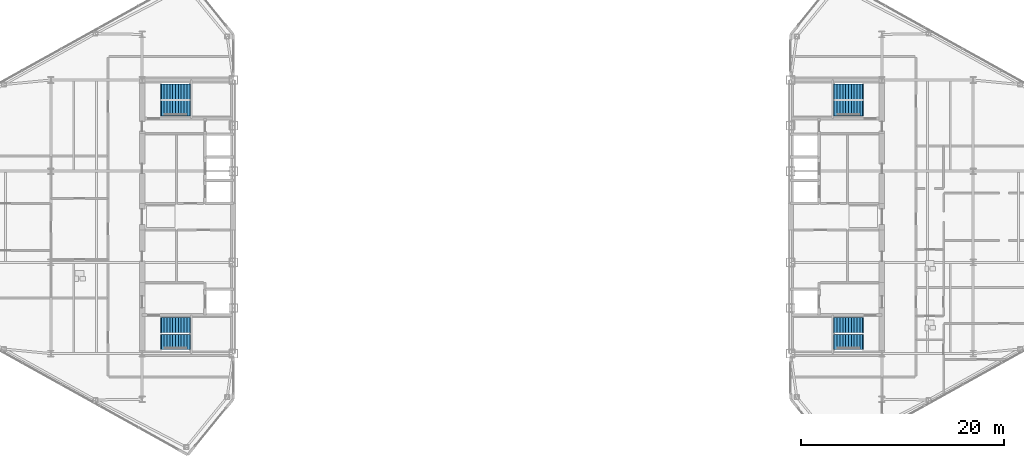
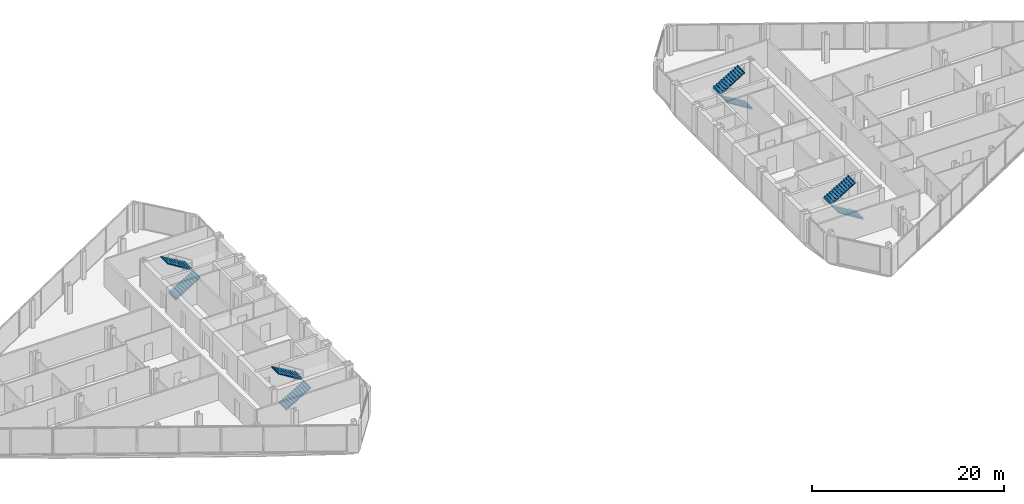
# One storey, part 24 of 26: 8 stair flights, 4 elements without a shape of their own.
"""IFC4 building model written with IfcOpenShell, lengths in metres."""

from ifc_helpers import new_model, si_unit, direction, frame, origin, place, context, subcontext, project, spatial, polyline, outline, extrude, material, type_object, element, aggregate, save


model = new_model("IFC4")

# Units and contexts
model_context = context("Model", 3, precision=1e-05, world=origin(), true_north=direction((0.0, 1.0)))
body_context = subcontext(model_context, "Body", "Model", "MODEL_VIEW")
ifc_project = project(units=[si_unit("LENGTHUNIT", "METRE"), si_unit("AREAUNIT", "SQUARE_METRE"), si_unit("VOLUMEUNIT", "CUBIC_METRE"), si_unit("PLANEANGLEUNIT", "RADIAN"), si_unit("MASSUNIT", "GRAM", prefix="KILO")], contexts=[model_context])

# Site, building, storey
site_placement = place(None, origin())
site = spatial("IfcSite", under=ifc_project, at=site_placement, CompositionType="ELEMENT")
building_placement = place(site_placement, origin())
building = spatial("IfcBuilding", under=site, at=building_placement, Name="Seokmaru Belvedere", CompositionType="ELEMENT")
storey_placement = place(building_placement, frame((0.0, 0.0, 174.300048828125)))
storey = spatial("IfcBuildingStorey", under=building, at=storey_placement, Name="L46", CompositionType="ELEMENT", Elevation=174.300048828125)

# Stair, stair flights
ifc_material = material(Name="Concrete C40 (40 MPa)", Category="concrete")
stair_type = type_object("IfcStairType", Name="Typical Tower Core Dog-Leg Stair 3600", PredefinedType="TWO_STRAIGHT_RUN_STAIR", material=ifc_material)
stair_1_placement = place(storey_placement, origin())
stair_1 = element("IfcStair", 1, at=stair_1_placement, inside=storey, type_object=stair_type, Name="L46 Special Escape Stair ST-W1", PredefinedType="TWO_STRAIGHT_RUN_STAIR")
stair_flight_type = type_object("IfcStairFlightType", Name="Reinforced Concrete Stair Flight 1500", PredefinedType="STRAIGHT", material=ifc_material)
stair_flight_1_placement = place(storey_placement, frame((-34.60009765625, -12.35009765625, 0.0), z_axis=(0.0, 0.0, 1.0), x_axis=(1.0, 0.0, 0.0)))
stair_flight_1 = element("IfcStairFlight", 2, at=stair_flight_1_placement, type_object=stair_flight_type, Name="ST-W1 flight 1", NumberOfRisers=11, NumberOfTreads=10, PredefinedType="STRAIGHT", RiserHeight=0.163636364, TreadLength=0.28, context=body_context, shape_type="SweptSolid", body=[
    extrude(outline(polyline([(-0.080078125, 0.0), (0.0, 0.16357421875), (0.280029296875, 0.16357421875), (0.280029296875, 0.327392578125), (0.56005859375, 0.327392578125), (0.56005859375, 0.490966796875), (0.840087890625, 0.490966796875), (0.840087890625, 0.654541015625), (1.1201171875, 0.654541015625), (1.1201171875, 0.818115234375), (1.39990234375, 0.818115234375), (1.39990234375, 0.98193359375), (1.679931640625, 0.98193359375), (1.679931640625, 1.1455078125), (1.9599609375, 1.1455078125), (1.9599609375, 1.30908203125), (2.239990234375, 1.30908203125), (2.239990234375, 1.47265625), (2.52001953125, 1.47265625), (2.52001953125, 1.636474609375), (2.800048828125, 1.636474609375), (2.800048828125, 1.800048828125), (2.8798828125, 1.800048828125), (2.8798828125, 1.610107421875), (2.800048828125, 1.610107421875), (0.0, -0.159912109375), (-0.080078125, -0.159912109375), (-0.080078125, 0.0)])), frame((0.0, 0.75, 0.0), z_axis=(0.0, -1.0, 0.0), x_axis=(1.0, 0.0, 0.0)), (0.0, 0.0, 1.0), 1.5),
])
stair_flight_2_placement = place(storey_placement, frame((-31.800048828125, -10.7099609375, 1.800048828125), z_axis=(0.0, 0.0, 1.0), x_axis=(-1.0, 0.0, 0.0)))
stair_flight_2 = element("IfcStairFlight", 3, at=stair_flight_2_placement, type_object=stair_flight_type, Name="ST-W1 flight 2", NumberOfRisers=11, NumberOfTreads=10, PredefinedType="STRAIGHT", RiserHeight=0.163636364, TreadLength=0.28, context=body_context, shape_type="SweptSolid", body=[
    extrude(outline(polyline([(-0.080078125, 0.0), (0.0, 0.16357421875), (0.280029296875, 0.16357421875), (0.280029296875, 0.327392578125), (0.56005859375, 0.327392578125), (0.56005859375, 0.490966796875), (0.840087890625, 0.490966796875), (0.840087890625, 0.654541015625), (1.1201171875, 0.654541015625), (1.1201171875, 0.818115234375), (1.39990234375, 0.818115234375), (1.39990234375, 0.98193359375), (1.679931640625, 0.98193359375), (1.679931640625, 1.1455078125), (1.9599609375, 1.1455078125), (1.9599609375, 1.30908203125), (2.239990234375, 1.30908203125), (2.239990234375, 1.47265625), (2.52001953125, 1.47265625), (2.52001953125, 1.636474609375), (2.800048828125, 1.636474609375), (2.800048828125, 1.800048828125), (2.8798828125, 1.800048828125), (2.8798828125, 1.610107421875), (2.800048828125, 1.610107421875), (0.0, -0.159912109375), (-0.080078125, -0.159912109375), (-0.080078125, 0.0)])), frame((0.0, 0.75, 0.0), z_axis=(0.0, -1.0, 0.0), x_axis=(1.0, 0.0, 0.0)), (0.0, 0.0, 1.0), 1.5),
])
aggregate(stair_1, [stair_flight_1, stair_flight_2])

stair_2_placement = place(storey_placement, origin())
stair_2 = element("IfcStair", 4, at=stair_2_placement, inside=storey, type_object=stair_type, Name="L46 Special Escape Stair ST-W2", PredefinedType="TWO_STRAIGHT_RUN_STAIR")
stair_flight_3_placement = place(storey_placement, frame((-34.60009765625, 10.7099609375, 0.0), z_axis=(0.0, 0.0, 1.0), x_axis=(1.0, 0.0, 0.0)))
stair_flight_3 = element("IfcStairFlight", 5, at=stair_flight_3_placement, type_object=stair_flight_type, Name="ST-W2 flight 1", NumberOfRisers=11, NumberOfTreads=10, PredefinedType="STRAIGHT", RiserHeight=0.163636364, TreadLength=0.28, context=body_context, shape_type="SweptSolid", body=[
    extrude(outline(polyline([(-0.080078125, 0.0), (0.0, 0.16357421875), (0.280029296875, 0.16357421875), (0.280029296875, 0.327392578125), (0.56005859375, 0.327392578125), (0.56005859375, 0.490966796875), (0.840087890625, 0.490966796875), (0.840087890625, 0.654541015625), (1.1201171875, 0.654541015625), (1.1201171875, 0.818115234375), (1.39990234375, 0.818115234375), (1.39990234375, 0.98193359375), (1.679931640625, 0.98193359375), (1.679931640625, 1.1455078125), (1.9599609375, 1.1455078125), (1.9599609375, 1.30908203125), (2.239990234375, 1.30908203125), (2.239990234375, 1.47265625), (2.52001953125, 1.47265625), (2.52001953125, 1.636474609375), (2.800048828125, 1.636474609375), (2.800048828125, 1.800048828125), (2.8798828125, 1.800048828125), (2.8798828125, 1.610107421875), (2.800048828125, 1.610107421875), (0.0, -0.159912109375), (-0.080078125, -0.159912109375), (-0.080078125, 0.0)])), frame((0.0, 0.75, 0.0), z_axis=(0.0, -1.0, 0.0), x_axis=(1.0, 0.0, 0.0)), (0.0, 0.0, 1.0), 1.5),
])
stair_flight_4_placement = place(storey_placement, frame((-31.800048828125, 12.35009765625, 1.800048828125), z_axis=(0.0, 0.0, 1.0), x_axis=(-1.0, 0.0, 0.0)))
stair_flight_4 = element("IfcStairFlight", 6, at=stair_flight_4_placement, type_object=stair_flight_type, Name="ST-W2 flight 2", NumberOfRisers=11, NumberOfTreads=10, PredefinedType="STRAIGHT", RiserHeight=0.163636364, TreadLength=0.28, context=body_context, shape_type="SweptSolid", body=[
    extrude(outline(polyline([(-0.080078125, 0.0), (0.0, 0.16357421875), (0.280029296875, 0.16357421875), (0.280029296875, 0.327392578125), (0.56005859375, 0.327392578125), (0.56005859375, 0.490966796875), (0.840087890625, 0.490966796875), (0.840087890625, 0.654541015625), (1.1201171875, 0.654541015625), (1.1201171875, 0.818115234375), (1.39990234375, 0.818115234375), (1.39990234375, 0.98193359375), (1.679931640625, 0.98193359375), (1.679931640625, 1.1455078125), (1.9599609375, 1.1455078125), (1.9599609375, 1.30908203125), (2.239990234375, 1.30908203125), (2.239990234375, 1.47265625), (2.52001953125, 1.47265625), (2.52001953125, 1.636474609375), (2.800048828125, 1.636474609375), (2.800048828125, 1.800048828125), (2.8798828125, 1.800048828125), (2.8798828125, 1.610107421875), (2.800048828125, 1.610107421875), (0.0, -0.159912109375), (-0.080078125, -0.159912109375), (-0.080078125, 0.0)])), frame((0.0, 0.75, 0.0), z_axis=(0.0, -1.0, 0.0), x_axis=(1.0, 0.0, 0.0)), (0.0, 0.0, 1.0), 1.5),
])
aggregate(stair_2, [stair_flight_3, stair_flight_4])

stair_3_placement = place(storey_placement, origin())
stair_3 = element("IfcStair", 7, at=stair_3_placement, inside=storey, type_object=stair_type, Name="L46 Special Escape Stair ST-E1", PredefinedType="TWO_STRAIGHT_RUN_STAIR")
stair_flight_5_placement = place(storey_placement, frame((34.60009765625, -12.35009765625, 0.0), z_axis=(0.0, 0.0, 1.0), x_axis=(-1.0, 0.0, 0.0)))
stair_flight_5 = element("IfcStairFlight", 8, at=stair_flight_5_placement, type_object=stair_flight_type, Name="ST-E1 flight 1", NumberOfRisers=11, NumberOfTreads=10, PredefinedType="STRAIGHT", RiserHeight=0.163636364, TreadLength=0.28, context=body_context, shape_type="SweptSolid", body=[
    extrude(outline(polyline([(-0.080078125, 0.0), (0.0, 0.16357421875), (0.280029296875, 0.16357421875), (0.280029296875, 0.327392578125), (0.56005859375, 0.327392578125), (0.56005859375, 0.490966796875), (0.840087890625, 0.490966796875), (0.840087890625, 0.654541015625), (1.1201171875, 0.654541015625), (1.1201171875, 0.818115234375), (1.39990234375, 0.818115234375), (1.39990234375, 0.98193359375), (1.679931640625, 0.98193359375), (1.679931640625, 1.1455078125), (1.9599609375, 1.1455078125), (1.9599609375, 1.30908203125), (2.239990234375, 1.30908203125), (2.239990234375, 1.47265625), (2.52001953125, 1.47265625), (2.52001953125, 1.636474609375), (2.800048828125, 1.636474609375), (2.800048828125, 1.800048828125), (2.8798828125, 1.800048828125), (2.8798828125, 1.610107421875), (2.800048828125, 1.610107421875), (0.0, -0.159912109375), (-0.080078125, -0.159912109375), (-0.080078125, 0.0)])), frame((0.0, 0.75, 0.0), z_axis=(0.0, -1.0, 0.0), x_axis=(1.0, 0.0, 0.0)), (0.0, 0.0, 1.0), 1.5),
])
stair_flight_6_placement = place(storey_placement, frame((31.800048828125, -10.7099609375, 1.800048828125), z_axis=(0.0, 0.0, 1.0), x_axis=(1.0, 0.0, 0.0)))
stair_flight_6 = element("IfcStairFlight", 9, at=stair_flight_6_placement, type_object=stair_flight_type, Name="ST-E1 flight 2", NumberOfRisers=11, NumberOfTreads=10, PredefinedType="STRAIGHT", RiserHeight=0.163636364, TreadLength=0.28, context=body_context, shape_type="SweptSolid", body=[
    extrude(outline(polyline([(-0.080078125, 0.0), (0.0, 0.16357421875), (0.280029296875, 0.16357421875), (0.280029296875, 0.327392578125), (0.56005859375, 0.327392578125), (0.56005859375, 0.490966796875), (0.840087890625, 0.490966796875), (0.840087890625, 0.654541015625), (1.1201171875, 0.654541015625), (1.1201171875, 0.818115234375), (1.39990234375, 0.818115234375), (1.39990234375, 0.98193359375), (1.679931640625, 0.98193359375), (1.679931640625, 1.1455078125), (1.9599609375, 1.1455078125), (1.9599609375, 1.30908203125), (2.239990234375, 1.30908203125), (2.239990234375, 1.47265625), (2.52001953125, 1.47265625), (2.52001953125, 1.636474609375), (2.800048828125, 1.636474609375), (2.800048828125, 1.800048828125), (2.8798828125, 1.800048828125), (2.8798828125, 1.610107421875), (2.800048828125, 1.610107421875), (0.0, -0.159912109375), (-0.080078125, -0.159912109375), (-0.080078125, 0.0)])), frame((0.0, 0.75, 0.0), z_axis=(0.0, -1.0, 0.0), x_axis=(1.0, 0.0, 0.0)), (0.0, 0.0, 1.0), 1.5),
])
aggregate(stair_3, [stair_flight_5, stair_flight_6])

stair_4_placement = place(storey_placement, origin())
stair_4 = element("IfcStair", 10, at=stair_4_placement, inside=storey, type_object=stair_type, Name="L46 Special Escape Stair ST-E2", PredefinedType="TWO_STRAIGHT_RUN_STAIR")
stair_flight_7_placement = place(storey_placement, frame((34.60009765625, 10.7099609375, 0.0), z_axis=(0.0, 0.0, 1.0), x_axis=(-1.0, 0.0, 0.0)))
stair_flight_7 = element("IfcStairFlight", 11, at=stair_flight_7_placement, type_object=stair_flight_type, Name="ST-E2 flight 1", NumberOfRisers=11, NumberOfTreads=10, PredefinedType="STRAIGHT", RiserHeight=0.163636364, TreadLength=0.28, context=body_context, shape_type="SweptSolid", body=[
    extrude(outline(polyline([(-0.080078125, 0.0), (0.0, 0.16357421875), (0.280029296875, 0.16357421875), (0.280029296875, 0.327392578125), (0.56005859375, 0.327392578125), (0.56005859375, 0.490966796875), (0.840087890625, 0.490966796875), (0.840087890625, 0.654541015625), (1.1201171875, 0.654541015625), (1.1201171875, 0.818115234375), (1.39990234375, 0.818115234375), (1.39990234375, 0.98193359375), (1.679931640625, 0.98193359375), (1.679931640625, 1.1455078125), (1.9599609375, 1.1455078125), (1.9599609375, 1.30908203125), (2.239990234375, 1.30908203125), (2.239990234375, 1.47265625), (2.52001953125, 1.47265625), (2.52001953125, 1.636474609375), (2.800048828125, 1.636474609375), (2.800048828125, 1.800048828125), (2.8798828125, 1.800048828125), (2.8798828125, 1.610107421875), (2.800048828125, 1.610107421875), (0.0, -0.159912109375), (-0.080078125, -0.159912109375), (-0.080078125, 0.0)])), frame((0.0, 0.75, 0.0), z_axis=(0.0, -1.0, 0.0), x_axis=(1.0, 0.0, 0.0)), (0.0, 0.0, 1.0), 1.5),
])
stair_flight_8_placement = place(storey_placement, frame((31.800048828125, 12.35009765625, 1.800048828125), z_axis=(0.0, 0.0, 1.0), x_axis=(1.0, 0.0, 0.0)))
stair_flight_8 = element("IfcStairFlight", 12, at=stair_flight_8_placement, type_object=stair_flight_type, Name="ST-E2 flight 2", NumberOfRisers=11, NumberOfTreads=10, PredefinedType="STRAIGHT", RiserHeight=0.163636364, TreadLength=0.28, context=body_context, shape_type="SweptSolid", body=[
    extrude(outline(polyline([(-0.080078125, 0.0), (0.0, 0.16357421875), (0.280029296875, 0.16357421875), (0.280029296875, 0.327392578125), (0.56005859375, 0.327392578125), (0.56005859375, 0.490966796875), (0.840087890625, 0.490966796875), (0.840087890625, 0.654541015625), (1.1201171875, 0.654541015625), (1.1201171875, 0.818115234375), (1.39990234375, 0.818115234375), (1.39990234375, 0.98193359375), (1.679931640625, 0.98193359375), (1.679931640625, 1.1455078125), (1.9599609375, 1.1455078125), (1.9599609375, 1.30908203125), (2.239990234375, 1.30908203125), (2.239990234375, 1.47265625), (2.52001953125, 1.47265625), (2.52001953125, 1.636474609375), (2.800048828125, 1.636474609375), (2.800048828125, 1.800048828125), (2.8798828125, 1.800048828125), (2.8798828125, 1.610107421875), (2.800048828125, 1.610107421875), (0.0, -0.159912109375), (-0.080078125, -0.159912109375), (-0.080078125, 0.0)])), frame((0.0, 0.75, 0.0), z_axis=(0.0, -1.0, 0.0), x_axis=(1.0, 0.0, 0.0)), (0.0, 0.0, 1.0), 1.5),
])
aggregate(stair_4, [stair_flight_7, stair_flight_8])

save(model, "model.ifc")
